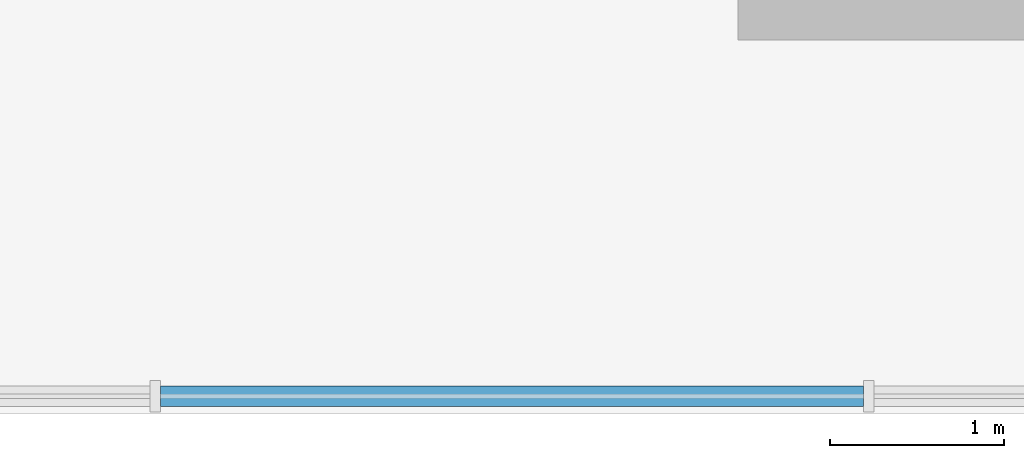
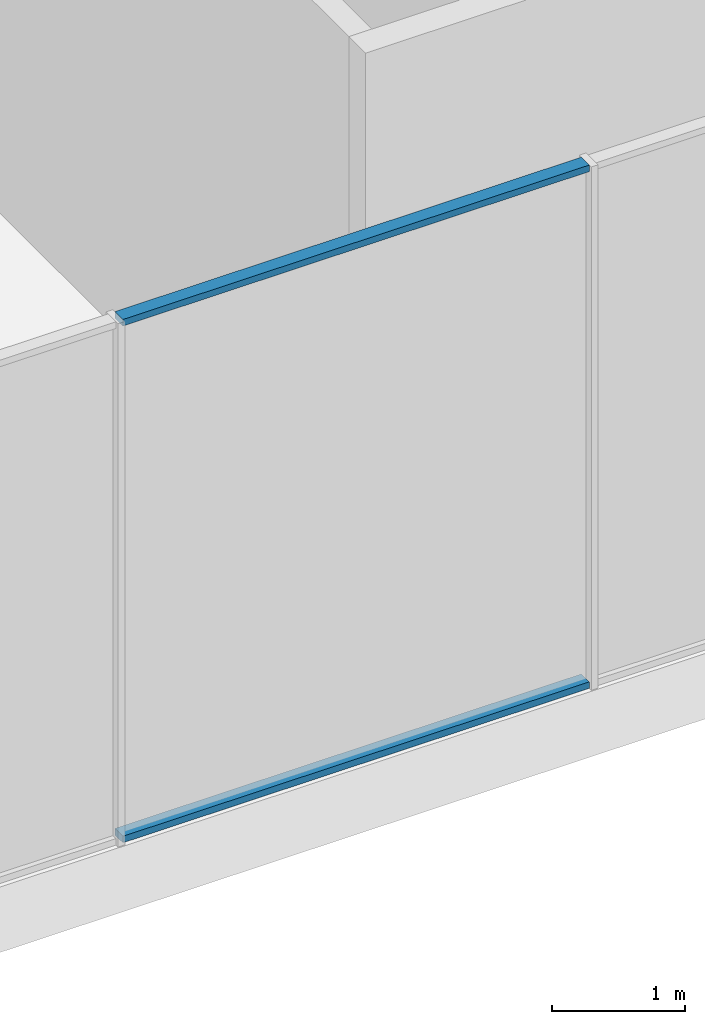
# One storey, part 3 of 21: 2 members, 1 element without a shape of its own.
"""IFC4 building model written with IfcOpenShell, lengths in metres."""

import ifcopenshell
import ifcopenshell.guid

model = None  # the IFC model being written
_history = None  # IfcOwnerHistory: only IFC2X3 demands one
_inside = {}  # id of a spatial element -> (the spatial element, [elements in it])
_under = {}  # id of a project, library or spatial element -> (it, [spatial elements below it])
_declared = {}  # id of a project -> (the project, [libraries it declares])
_typed = {}  # id of a type object -> (the type object, [elements of that type])
_made_of = {}  # id of a material, layer set ... -> (it, [elements and type objects made of it])


def new_model(schema):
    """Start an empty IFC model of exactly this schema.

    Asked for "IFC4X3", IfcOpenShell would pick the latest addendum, in which some entities
    have other attributes; the version numbers below select the first issue.
    IFC2X3 requires an IfcOwnerHistory on every rooted entity: one is made here for all.
    """
    global model, _history
    if schema == "IFC4X3":
        model = ifcopenshell.file(schema_version=(4, 3, 0, 0))
    else:
        model = ifcopenshell.file(schema=schema)
    _inside.clear()
    _under.clear()
    _declared.clear()
    _typed.clear()
    _made_of.clear()
    _history = None
    if model.schema == "IFC2X3":
        org = make("IfcOrganization", Name="unknown")
        user = make(
            "IfcPersonAndOrganization",
            ThePerson=make("IfcPerson", FamilyName="unknown"),
            TheOrganization=org,
        )
        app = make(
            "IfcApplication",
            ApplicationDeveloper=org,
            Version="unknown",
            ApplicationFullName="unknown",
            ApplicationIdentifier="unknown",
        )
        _history = make(
            "IfcOwnerHistory",
            OwningUser=user,
            OwningApplication=app,
            ChangeAction="ADDED",
            CreationDate=0,
        )
    return model


def make(cls, **values):
    """One entity of the class cls with the attributes given. An attribute that is None is left unset."""
    return model.create_entity(
        cls, **{name: value for name, value in values.items() if value is not None}
    )


def rooted(cls, **values):
    """An entity with a GlobalId (a new one), such as an element, a storey or a relation."""
    return make(cls, GlobalId=ifcopenshell.guid.new(), OwnerHistory=_history, **values)


def si_unit(unit_type, name, prefix=None):
    """IfcSIUnit, for example si_unit("LENGTHUNIT", "METRE", prefix="MILLI")."""
    return make("IfcSIUnit", UnitType=unit_type, Prefix=prefix, Name=name)


def assignment(units):
    """IfcUnitAssignment: the units of a project."""
    return None if units is None else make("IfcUnitAssignment", Units=units)


def point(xyz):
    """IfcCartesianPoint."""
    return None if xyz is None else make("IfcCartesianPoint", Coordinates=xyz)


def direction(xyz):
    """IfcDirection."""
    return None if xyz is None else make("IfcDirection", DirectionRatios=xyz)


def frame(location, z_axis=None, x_axis=None):
    """IfcAxis2Placement3D, a coordinate frame: its origin and axes. An axis left out is left unset."""
    return make(
        "IfcAxis2Placement3D",
        Location=point(location),
        Axis=direction(z_axis),
        RefDirection=direction(x_axis),
    )


def frame_2d(location, x_axis=None):
    """IfcAxis2Placement2D, a coordinate frame in the plane: its origin and x axis."""
    return make(
        "IfcAxis2Placement2D", Location=point(location), RefDirection=direction(x_axis)
    )


def origin():
    """The frame at (0, 0, 0) with its axes left unset."""
    return frame((0.0, 0.0, 0.0))


def origin_2d():
    """The frame at (0, 0) in the plane with its x axis left unset."""
    return frame_2d((0.0, 0.0))


def place(relative_to, where):
    """IfcLocalPlacement: puts the frame where relative to a parent placement (None: the world)."""
    return make(
        "IfcLocalPlacement", PlacementRelTo=relative_to, RelativePlacement=where
    )


def context(
    kind, dimensions, precision=None, world=None, true_north=None, identifier=None
):
    """IfcGeometricRepresentationContext, for example the 3D "Model" context."""
    return make(
        "IfcGeometricRepresentationContext",
        ContextIdentifier=identifier,
        ContextType=kind,
        CoordinateSpaceDimension=dimensions,
        Precision=precision,
        WorldCoordinateSystem=world,
        TrueNorth=true_north,
    )


def subcontext(parent, identifier, kind, view, scale=None):
    """IfcGeometricRepresentationSubContext, for example "Body" below "Model"."""
    return make(
        "IfcGeometricRepresentationSubContext",
        ContextIdentifier=identifier,
        ContextType=kind,
        ParentContext=parent,
        TargetScale=scale,
        TargetView=view,
    )


def project(units=None, contexts=None):
    """IfcProject with its units and contexts."""
    return rooted(
        "IfcProject",
        Name="project",
        RepresentationContexts=contexts,
        UnitsInContext=assignment(units),
    )


def spatial(cls, under=None, at=None, **own):
    """A site, building, storey or space (cls), placed at a placement, below another one or the project."""
    s = rooted(cls, ObjectPlacement=at, **own)
    if under is not None:
        _under.setdefault(under.id(), (under, []))[1].append(s)
    return s


def profile(cls, at=None, kind="AREA", **sizes):
    """A parametric profile (cls). Its sizes go by their IFC names, for example OverallWidth=200.0."""
    return make(cls, ProfileType=kind, Position=at, **sizes)


def rectangle(**sizes):
    """IfcRectangleProfileDef."""
    return profile("IfcRectangleProfileDef", **sizes)


def extrude(swept, where, along, depth):
    """IfcExtrudedAreaSolid: the profile swept, set in the frame where, extruded along a direction by depth."""
    return make(
        "IfcExtrudedAreaSolid",
        SweptArea=swept,
        Position=where,
        ExtrudedDirection=direction(along),
        Depth=depth,
    )


def shape(context_of_items, identifier, shape_type, items):
    """IfcShapeRepresentation: the items that make up one representation, for example the "Body"."""
    return make(
        "IfcShapeRepresentation",
        ContextOfItems=context_of_items,
        RepresentationIdentifier=identifier,
        RepresentationType=shape_type,
        Items=items,
    )


def source(mapping_origin, context_of_items, identifier, shape_type, items):
    """IfcRepresentationMap: a shape defined once, which mapped items show again and again."""
    return make(
        "IfcRepresentationMap",
        MappingOrigin=mapping_origin,
        MappedRepresentation=shape(context_of_items, identifier, shape_type, items),
    )


def transform(
    local_origin,
    x_axis=None,
    y_axis=None,
    z_axis=None,
    scale=None,
    scale2=None,
    scale3=None,
    uniform=True,
):
    """IfcCartesianTransformationOperator3D, or its non-uniform kind. x_axis, y_axis, z_axis: its Axis1, 2, 3."""
    if uniform:
        return make(
            "IfcCartesianTransformationOperator3D",
            Axis1=direction(x_axis),
            Axis2=direction(y_axis),
            LocalOrigin=point(local_origin),
            Scale=scale,
            Axis3=direction(z_axis),
        )
    return make(
        "IfcCartesianTransformationOperator3DnonUniform",
        Axis1=direction(x_axis),
        Axis2=direction(y_axis),
        LocalOrigin=point(local_origin),
        Scale=scale,
        Axis3=direction(z_axis),
        Scale2=scale2,
        Scale3=scale3,
    )


def mapped(mapping_source, mapping_target):
    """IfcMappedItem: shows the shape of a source again, moved by a transform."""
    return make(
        "IfcMappedItem", MappingSource=mapping_source, MappingTarget=mapping_target
    )


def material(Name=None, Category=None):
    """IfcMaterial."""
    return make("IfcMaterial", Name=Name, Category=Category)


def layer(
    of_material, thickness, ventilated=None, Name=None, Category=None, Priority=None
):
    """IfcMaterialLayer: one layer of a wall or slab, of a material (None: an air gap)."""
    return make(
        "IfcMaterialLayer",
        Material=of_material,
        LayerThickness=thickness,
        IsVentilated=ventilated,
        Name=Name,
        Category=Category,
        Priority=Priority,
    )


def layer_set(layers, Name=None):
    """IfcMaterialLayerSet."""
    return make("IfcMaterialLayerSet", MaterialLayers=layers, LayerSetName=Name)


def material_profile(
    of_material, cross_section, Name=None, Category=None, Priority=None
):
    """IfcMaterialProfile: a cross section and its material."""
    return make(
        "IfcMaterialProfile",
        Name=Name,
        Material=of_material,
        Profile=cross_section,
        Priority=Priority,
        Category=Category,
    )


def profile_set(profiles, Name=None, composite=None):
    """IfcMaterialProfileSet."""
    return make(
        "IfcMaterialProfileSet",
        Name=Name,
        MaterialProfiles=profiles,
        CompositeProfile=composite,
    )


def made_of(thing, what):
    """Note that an element or type object is made of a material, layer set ...; save() writes the relation."""
    if what is not None:
        _made_of.setdefault(what.id(), (what, []))[1].append(thing)
    return thing


def type_object(cls, material=None, **own):
    """A type object (cls), such as IfcWallType, which elements share."""
    return made_of(rooted(cls, **own), material)


def element(
    cls,
    number,
    at=None,
    inside=None,
    cuts=None,
    type_object=None,
    material=None,
    context=None,
    identifier="Body",
    shape_type=None,
    held_by="IfcProductDefinitionShape",
    body=None,
    shapes=None,
    **own,
):
    """One element of the class cls, such as IfcWall. Its Tag is "e" and its number.

    at: its placement. inside: the storey or other place that contains it. cuts: it is an
    opening in that element (IfcRelVoidsElement). A single representation is given by context,
    identifier, shape_type and body (its items); several are given by shapes. held_by: the class
    of the entity that holds the representations. save() writes the other relations.
    """
    e = rooted(cls, Tag="e%d" % number, ObjectPlacement=at, **own)
    if body is not None:
        shapes = [shape(context, identifier, shape_type, body)]
    if shapes is not None:
        e.Representation = make(held_by, Representations=shapes)
    if inside is not None:
        _inside.setdefault(inside.id(), (inside, []))[1].append(e)
    if cuts is not None:
        rooted(
            "IfcRelVoidsElement", RelatingBuildingElement=cuts, RelatedOpeningElement=e
        )
    if type_object is not None:
        _typed.setdefault(type_object.id(), (type_object, []))[1].append(e)
    return made_of(e, material)


def aggregate(whole, parts):
    """IfcRelAggregates: a whole, such as a stair, and the parts it consists of."""
    return rooted("IfcRelAggregates", RelatingObject=whole, RelatedObjects=parts)


def save(model, path):
    """Write the relations noted so far, then the file.

    IfcRelAggregates (storeys below a building ...), IfcRelContainedInSpatialStructure (elements
    in a storey), IfcRelDefinesByType, IfcRelAssociatesMaterial and IfcRelDeclares: one each for
    every whole, place, type object, material and project.
    """
    for whole, parts in _under.values():
        aggregate(whole, parts)
    for where, things in _inside.values():
        rooted(
            "IfcRelContainedInSpatialStructure",
            RelatedElements=things,
            RelatingStructure=where,
        )
    for kind, things in _typed.values():
        rooted("IfcRelDefinesByType", RelatedObjects=things, RelatingType=kind)
    for what, things in _made_of.values():
        rooted("IfcRelAssociatesMaterial", RelatedObjects=things, RelatingMaterial=what)
    for by, libraries in _declared.values():
        rooted("IfcRelDeclares", RelatingContext=by, RelatedDefinitions=libraries)
    model.write(path)


model = new_model("IFC4")

# Units and contexts
model_context = context("Model", 3, precision=1e-05, world=origin(), true_north=direction((0.0, 1.0)))
body_context = subcontext(model_context, "Body", "Model", "MODEL_VIEW")
ifc_project = project(units=[si_unit("LENGTHUNIT", "METRE"), si_unit("AREAUNIT", "SQUARE_METRE"), si_unit("VOLUMEUNIT", "CUBIC_METRE"), si_unit("PLANEANGLEUNIT", "RADIAN"), si_unit("MASSUNIT", "GRAM", prefix="KILO")], contexts=[model_context])

# Site, building, storey
site_placement = place(None, origin())
site = spatial("IfcSite", under=ifc_project, at=site_placement, CompositionType="ELEMENT")
building_placement = place(site_placement, origin())
building = spatial("IfcBuilding", under=site, at=building_placement, Name="Aurelian Terraces", CompositionType="ELEMENT")
storey_placement = place(building_placement, frame((0.0, 0.0, 29.1)))
storey = spatial("IfcBuildingStorey", under=building, at=storey_placement, Name="L05", CompositionType="ELEMENT", Elevation=29.1)

# Curtain wall, members
ifc_material_1 = material(Name="Anodised aluminium and clear glazing", Category="aluminium")
ifc_layer = layer(ifc_material_1, 0.2)
ifc_layer_set = layer_set([ifc_layer], Name="Winter garden glazing curtain wall")
curtain_wall_type = type_object("IfcCurtainWallType", Name="Winter garden glazing curtain wall", PredefinedType="NOTDEFINED", material=ifc_layer_set)
curtain_wall_placement = place(storey_placement, origin())
curtain_wall = element("IfcCurtainWall", 1, at=curtain_wall_placement, inside=storey, type_object=curtain_wall_type, Name="Winter garden glazing L05 F01.1", PredefinedType="NOTDEFINED")
ifc_material_2 = material(Name="Anodised aluminium", Category="aluminium")
ifc_material_profile = material_profile(ifc_material_2, rectangle(XDim=0.12, YDim=0.06, at=origin_2d()))
ifc_profile_set = profile_set([ifc_material_profile], Name="Anodised aluminium")
member_type = type_object("IfcMemberType", Name="Winter garden glazing transom", PredefinedType="USERDEFINED", material=ifc_profile_set)
shared_shape = source(origin(), body_context, "Body", "SweptSolid", [
    extrude(rectangle(XDim=0.12, YDim=0.06, at=origin_2d()), origin(), (0.0, 0.0, 1.0), 4.0466),
])
member_1_placement = place(storey_placement, frame((26.6767, -2.0, 0.03), z_axis=(1.0, 0.0, 0.0), x_axis=(0.0, 1.0, 0.0)))
member_1 = element("IfcMember", 2, at=member_1_placement, type_object=member_type, Name="CW6 transom 8.1", ObjectType="TRANSOM", PredefinedType="USERDEFINED", context=body_context, shape_type="MappedRepresentation", body=[
    mapped(shared_shape, transform((0.0, 0.0, 0.0), scale=1.0)),
])
member_2_placement = place(storey_placement, frame((26.6767, -2.0, 4.77), z_axis=(1.0, 0.0, 0.0), x_axis=(0.0, 1.0, 0.0)))
member_2 = element("IfcMember", 3, at=member_2_placement, type_object=member_type, Name="CW6 transom 8.2", ObjectType="TRANSOM", PredefinedType="USERDEFINED", context=body_context, shape_type="MappedRepresentation", body=[
    mapped(shared_shape, transform((0.0, 0.0, 0.0), scale=1.0)),
])
aggregate(curtain_wall, [member_1, member_2])

save(model, "model.ifc")
